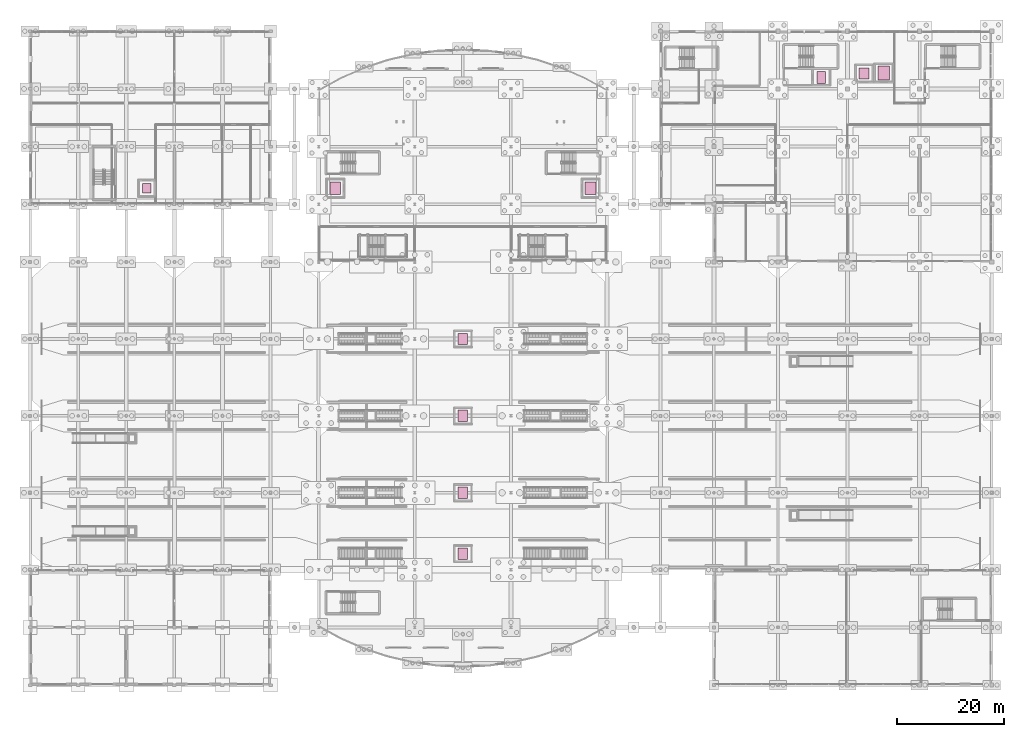
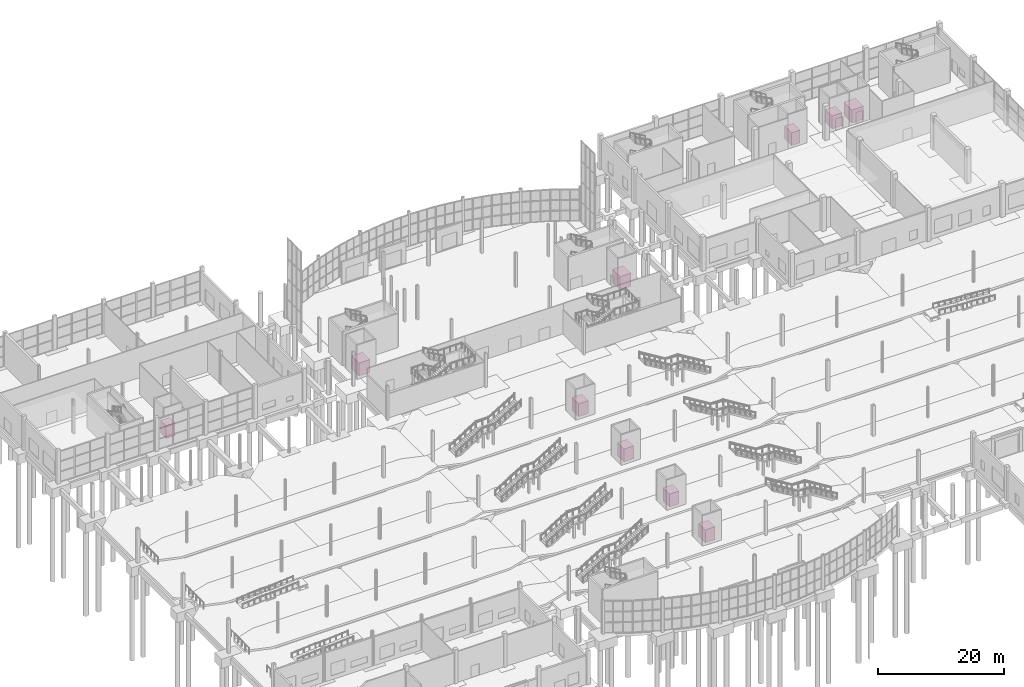
# One storey, part 115 of 115: 10 transport elements.
"""IFC4 building model written with IfcOpenShell, lengths in metres."""

import ifcopenshell
import ifcopenshell.guid

model = None  # the IFC model being written
_history = None  # IfcOwnerHistory: only IFC2X3 demands one
_inside = {}  # id of a spatial element -> (the spatial element, [elements in it])
_under = {}  # id of a project, library or spatial element -> (it, [spatial elements below it])
_declared = {}  # id of a project -> (the project, [libraries it declares])
_typed = {}  # id of a type object -> (the type object, [elements of that type])
_made_of = {}  # id of a material, layer set ... -> (it, [elements and type objects made of it])


def new_model(schema):
    """Start an empty IFC model of exactly this schema.

    Asked for "IFC4X3", IfcOpenShell would pick the latest addendum, in which some entities
    have other attributes; the version numbers below select the first issue.
    IFC2X3 requires an IfcOwnerHistory on every rooted entity: one is made here for all.
    """
    global model, _history
    if schema == "IFC4X3":
        model = ifcopenshell.file(schema_version=(4, 3, 0, 0))
    else:
        model = ifcopenshell.file(schema=schema)
    _inside.clear()
    _under.clear()
    _declared.clear()
    _typed.clear()
    _made_of.clear()
    _history = None
    if model.schema == "IFC2X3":
        org = make("IfcOrganization", Name="unknown")
        user = make(
            "IfcPersonAndOrganization",
            ThePerson=make("IfcPerson", FamilyName="unknown"),
            TheOrganization=org,
        )
        app = make(
            "IfcApplication",
            ApplicationDeveloper=org,
            Version="unknown",
            ApplicationFullName="unknown",
            ApplicationIdentifier="unknown",
        )
        _history = make(
            "IfcOwnerHistory",
            OwningUser=user,
            OwningApplication=app,
            ChangeAction="ADDED",
            CreationDate=0,
        )
    return model


def make(cls, **values):
    """One entity of the class cls with the attributes given. An attribute that is None is left unset."""
    return model.create_entity(
        cls, **{name: value for name, value in values.items() if value is not None}
    )


def rooted(cls, **values):
    """An entity with a GlobalId (a new one), such as an element, a storey or a relation."""
    return make(cls, GlobalId=ifcopenshell.guid.new(), OwnerHistory=_history, **values)


def si_unit(unit_type, name, prefix=None):
    """IfcSIUnit, for example si_unit("LENGTHUNIT", "METRE", prefix="MILLI")."""
    return make("IfcSIUnit", UnitType=unit_type, Prefix=prefix, Name=name)


def assignment(units):
    """IfcUnitAssignment: the units of a project."""
    return None if units is None else make("IfcUnitAssignment", Units=units)


def point(xyz):
    """IfcCartesianPoint."""
    return None if xyz is None else make("IfcCartesianPoint", Coordinates=xyz)


def direction(xyz):
    """IfcDirection."""
    return None if xyz is None else make("IfcDirection", DirectionRatios=xyz)


def frame(location, z_axis=None, x_axis=None):
    """IfcAxis2Placement3D, a coordinate frame: its origin and axes. An axis left out is left unset."""
    return make(
        "IfcAxis2Placement3D",
        Location=point(location),
        Axis=direction(z_axis),
        RefDirection=direction(x_axis),
    )


def frame_2d(location, x_axis=None):
    """IfcAxis2Placement2D, a coordinate frame in the plane: its origin and x axis."""
    return make(
        "IfcAxis2Placement2D", Location=point(location), RefDirection=direction(x_axis)
    )


def origin():
    """The frame at (0, 0, 0) with its axes left unset."""
    return frame((0.0, 0.0, 0.0))


def origin_2d():
    """The frame at (0, 0) in the plane with its x axis left unset."""
    return frame_2d((0.0, 0.0))


def place(relative_to, where):
    """IfcLocalPlacement: puts the frame where relative to a parent placement (None: the world)."""
    return make(
        "IfcLocalPlacement", PlacementRelTo=relative_to, RelativePlacement=where
    )


def context(
    kind, dimensions, precision=None, world=None, true_north=None, identifier=None
):
    """IfcGeometricRepresentationContext, for example the 3D "Model" context."""
    return make(
        "IfcGeometricRepresentationContext",
        ContextIdentifier=identifier,
        ContextType=kind,
        CoordinateSpaceDimension=dimensions,
        Precision=precision,
        WorldCoordinateSystem=world,
        TrueNorth=true_north,
    )


def subcontext(parent, identifier, kind, view, scale=None):
    """IfcGeometricRepresentationSubContext, for example "Body" below "Model"."""
    return make(
        "IfcGeometricRepresentationSubContext",
        ContextIdentifier=identifier,
        ContextType=kind,
        ParentContext=parent,
        TargetScale=scale,
        TargetView=view,
    )


def project(units=None, contexts=None):
    """IfcProject with its units and contexts."""
    return rooted(
        "IfcProject",
        Name="project",
        RepresentationContexts=contexts,
        UnitsInContext=assignment(units),
    )


def spatial(cls, under=None, at=None, **own):
    """A site, building, storey or space (cls), placed at a placement, below another one or the project."""
    s = rooted(cls, ObjectPlacement=at, **own)
    if under is not None:
        _under.setdefault(under.id(), (under, []))[1].append(s)
    return s


def profile(cls, at=None, kind="AREA", **sizes):
    """A parametric profile (cls). Its sizes go by their IFC names, for example OverallWidth=200.0."""
    return make(cls, ProfileType=kind, Position=at, **sizes)


def rectangle(**sizes):
    """IfcRectangleProfileDef."""
    return profile("IfcRectangleProfileDef", **sizes)


def extrude(swept, where, along, depth):
    """IfcExtrudedAreaSolid: the profile swept, set in the frame where, extruded along a direction by depth."""
    return make(
        "IfcExtrudedAreaSolid",
        SweptArea=swept,
        Position=where,
        ExtrudedDirection=direction(along),
        Depth=depth,
    )


def shape(context_of_items, identifier, shape_type, items):
    """IfcShapeRepresentation: the items that make up one representation, for example the "Body"."""
    return make(
        "IfcShapeRepresentation",
        ContextOfItems=context_of_items,
        RepresentationIdentifier=identifier,
        RepresentationType=shape_type,
        Items=items,
    )


def material(Name=None, Category=None):
    """IfcMaterial."""
    return make("IfcMaterial", Name=Name, Category=Category)


def made_of(thing, what):
    """Note that an element or type object is made of a material, layer set ...; save() writes the relation."""
    if what is not None:
        _made_of.setdefault(what.id(), (what, []))[1].append(thing)
    return thing


def type_object(cls, material=None, **own):
    """A type object (cls), such as IfcWallType, which elements share."""
    return made_of(rooted(cls, **own), material)


def element(
    cls,
    number,
    at=None,
    inside=None,
    cuts=None,
    type_object=None,
    material=None,
    context=None,
    identifier="Body",
    shape_type=None,
    held_by="IfcProductDefinitionShape",
    body=None,
    shapes=None,
    **own,
):
    """One element of the class cls, such as IfcWall. Its Tag is "e" and its number.

    at: its placement. inside: the storey or other place that contains it. cuts: it is an
    opening in that element (IfcRelVoidsElement). A single representation is given by context,
    identifier, shape_type and body (its items); several are given by shapes. held_by: the class
    of the entity that holds the representations. save() writes the other relations.
    """
    e = rooted(cls, Tag="e%d" % number, ObjectPlacement=at, **own)
    if body is not None:
        shapes = [shape(context, identifier, shape_type, body)]
    if shapes is not None:
        e.Representation = make(held_by, Representations=shapes)
    if inside is not None:
        _inside.setdefault(inside.id(), (inside, []))[1].append(e)
    if cuts is not None:
        rooted(
            "IfcRelVoidsElement", RelatingBuildingElement=cuts, RelatedOpeningElement=e
        )
    if type_object is not None:
        _typed.setdefault(type_object.id(), (type_object, []))[1].append(e)
    return made_of(e, material)


def aggregate(whole, parts):
    """IfcRelAggregates: a whole, such as a stair, and the parts it consists of."""
    return rooted("IfcRelAggregates", RelatingObject=whole, RelatedObjects=parts)


def save(model, path):
    """Write the relations noted so far, then the file.

    IfcRelAggregates (storeys below a building ...), IfcRelContainedInSpatialStructure (elements
    in a storey), IfcRelDefinesByType, IfcRelAssociatesMaterial and IfcRelDeclares: one each for
    every whole, place, type object, material and project.
    """
    for whole, parts in _under.values():
        aggregate(whole, parts)
    for where, things in _inside.values():
        rooted(
            "IfcRelContainedInSpatialStructure",
            RelatedElements=things,
            RelatingStructure=where,
        )
    for kind, things in _typed.values():
        rooted("IfcRelDefinesByType", RelatedObjects=things, RelatingType=kind)
    for what, things in _made_of.values():
        rooted("IfcRelAssociatesMaterial", RelatedObjects=things, RelatingMaterial=what)
    for by, libraries in _declared.values():
        rooted("IfcRelDeclares", RelatingContext=by, RelatedDefinitions=libraries)
    model.write(path)


model = new_model("IFC4")

# Units and contexts
model_context = context("Model", 3, precision=1e-05, world=origin(), true_north=direction((0.0, 1.0)))
body_context = subcontext(model_context, "Body", "Model", "MODEL_VIEW")
ifc_project = project(units=[si_unit("LENGTHUNIT", "METRE"), si_unit("AREAUNIT", "SQUARE_METRE"), si_unit("VOLUMEUNIT", "CUBIC_METRE"), si_unit("PLANEANGLEUNIT", "RADIAN"), si_unit("MASSUNIT", "GRAM", prefix="KILO")], contexts=[model_context])

# Site, building, storey
site_placement = place(None, origin())
site = spatial("IfcSite", under=ifc_project, at=site_placement, CompositionType="ELEMENT")
building_placement = place(site_placement, origin())
building = spatial("IfcBuilding", under=site, at=building_placement, Name="Tamarisk Ironworks Central Station", CompositionType="ELEMENT")
storey_placement = place(building_placement, origin())
storey = spatial("IfcBuildingStorey", under=building, at=storey_placement, Name="L00", CompositionType="ELEMENT", Elevation=0.0)

# Transport elements
ifc_material = material(Name="Brushed stainless steel AISI 316", Category="steel")
transport_element_type_1 = type_object("IfcTransportElementType", Name="LF-FF-21", PredefinedType="ELEVATOR", material=ifc_material)
transport_element_1_placement = place(storey_placement, frame((148.10009765625, 113.75, 0.0), z_axis=(0.0, 0.0, 1.0), x_axis=(1.0, 0.0, 0.0)))
element("IfcTransportElement", 1, at=transport_element_1_placement, inside=storey, type_object=transport_element_type_1, Name="Firefighting Elevator LF-FF1", PredefinedType="ELEVATOR", context=body_context, shape_type="SweptSolid", body=[
    extrude(rectangle(XDim=1.60009765625, YDim=2.199951171875, at=origin_2d()), origin(), (0.0, 0.0, 1.0), 2.5),
])
transport_element_type_2 = type_object("IfcTransportElementType", Name="LF-GOODS-30", PredefinedType="ELEVATOR", material=ifc_material)
transport_element_2_placement = place(storey_placement, frame((159.800048828125, 114.60009765625, 0.0), z_axis=(0.0, 0.0, 1.0), x_axis=(1.0, 0.0, 0.0)))
element("IfcTransportElement", 2, at=transport_element_2_placement, inside=storey, type_object=transport_element_type_2, Name="Passenger Elevator LF-O2", PredefinedType="ELEVATOR", context=body_context, shape_type="SweptSolid", body=[
    extrude(rectangle(XDim=2.10009765625, YDim=2.60009765625, at=origin_2d()), origin(), (0.0, 0.0, 1.0), 2.5),
])
transport_element_type_3 = type_object("IfcTransportElementType", Name="LF-PASS-16", PredefinedType="ELEVATOR", material=ifc_material)
transport_element_3_placement = place(storey_placement, frame((21.800048828125, 93.0, 0.0), z_axis=(0.0, 0.0, 1.0), x_axis=(1.0, 0.0, 0.0)))
element("IfcTransportElement", 3, at=transport_element_3_placement, inside=storey, type_object=transport_element_type_3, Name="Passenger Elevator LF-V1", PredefinedType="ELEVATOR", context=body_context, shape_type="SweptSolid", body=[
    extrude(rectangle(XDim=1.60009765625, YDim=1.800048828125, at=origin_2d()), origin(), (0.0, 0.0, 1.0), 2.5),
])
transport_element_type_4 = type_object("IfcTransportElementType", Name="LF-PASS-21", PredefinedType="ELEVATOR", material=ifc_material)
for number, where, z_axis, x_axis, name in (
    (4, (81.0, 24.60009765625, 0.719970703125), (0.0, 0.0, 1.0), (1.0, 0.0, 0.0), "Passenger Elevator LF-P1"),
    (5, (81.0, 36.0, 0.719970703125), (0.0, 0.0, 1.0), (1.0, 0.0, 0.0), "Passenger Elevator LF-P2"),
    (6, (81.0, 50.39990234375, 0.719970703125), (0.0, 0.0, 1.0), (1.0, 0.0, 0.0), "Passenger Elevator LF-P3"),
    (7, (81.0, 64.800048828125, 0.719970703125), (0.0, 0.0, 1.0), (1.0, 0.0, 0.0), "Passenger Elevator LF-P4"),
    (8, (156.10009765625, 114.5, 0.0), (0.0, 0.0, 1.0), (1.0, 0.0, 0.0), "Passenger Elevator LF-O1"),
):
    element("IfcTransportElement", number, at=place(storey_placement, frame(where, z_axis=z_axis, x_axis=x_axis)), inside=storey, type_object=transport_element_type_4, Name=name, PredefinedType="ELEVATOR", context=body_context, shape_type="SweptSolid", body=[
        extrude(rectangle(XDim=1.800048828125, YDim=2.10009765625, at=origin_2d()), origin(), (0.0, 0.0, 1.0), 2.5),
    ])
transport_element_type_5 = type_object("IfcTransportElementType", Name="LF-PASS-24", PredefinedType="ELEVATOR", material=ifc_material)
for number, where, z_axis, x_axis, name in (
    (9, (57.10009765625, 93.0, 0.0), (0.0, 0.0, 1.0), (1.0, 0.0, 0.0), "Passenger Elevator LF-C1"),
    (10, (104.89990234375, 93.0, 0.0), (0.0, 0.0, 1.0), (1.0, 0.0, 0.0), "Passenger Elevator LF-C2"),
):
    element("IfcTransportElement", number, at=place(storey_placement, frame(where, z_axis=z_axis, x_axis=x_axis)), inside=storey, type_object=transport_element_type_5, Name=name, PredefinedType="ELEVATOR", context=body_context, shape_type="SweptSolid", body=[
        extrude(rectangle(XDim=2.0, YDim=2.39990234375, at=origin_2d()), origin(), (0.0, 0.0, 1.0), 2.5),
    ])

save(model, "model.ifc")
